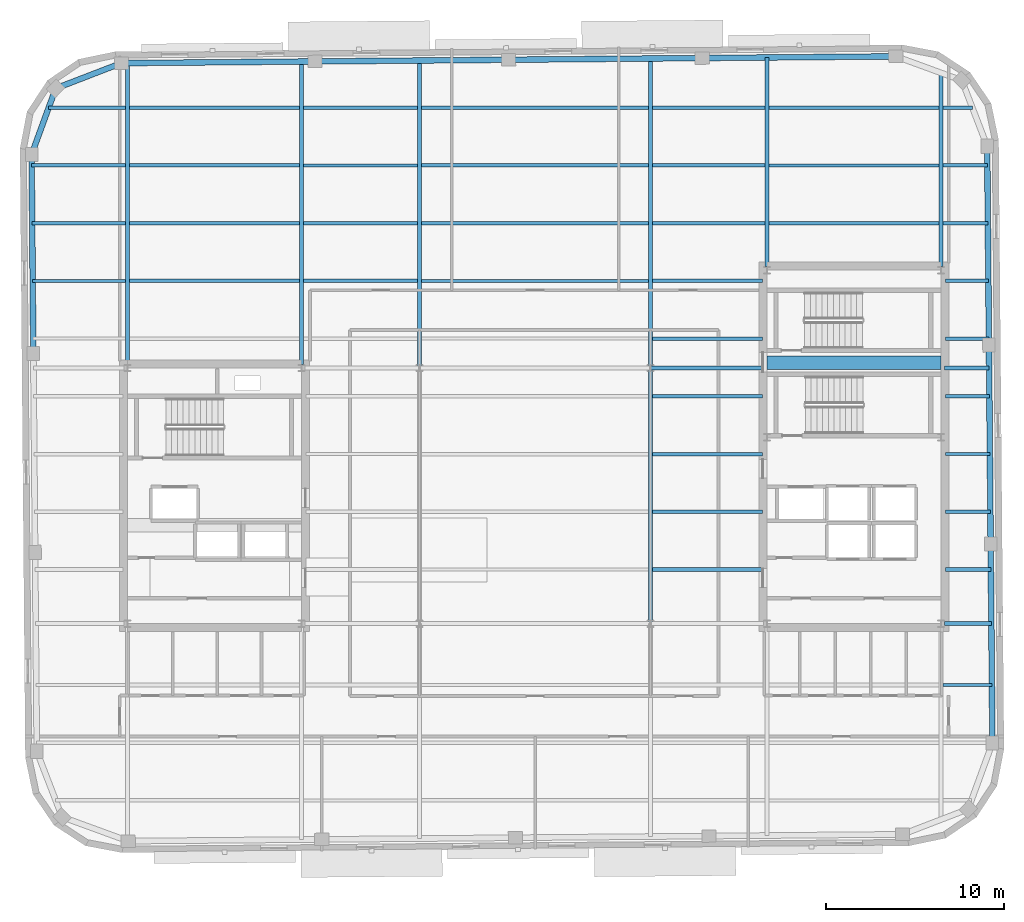
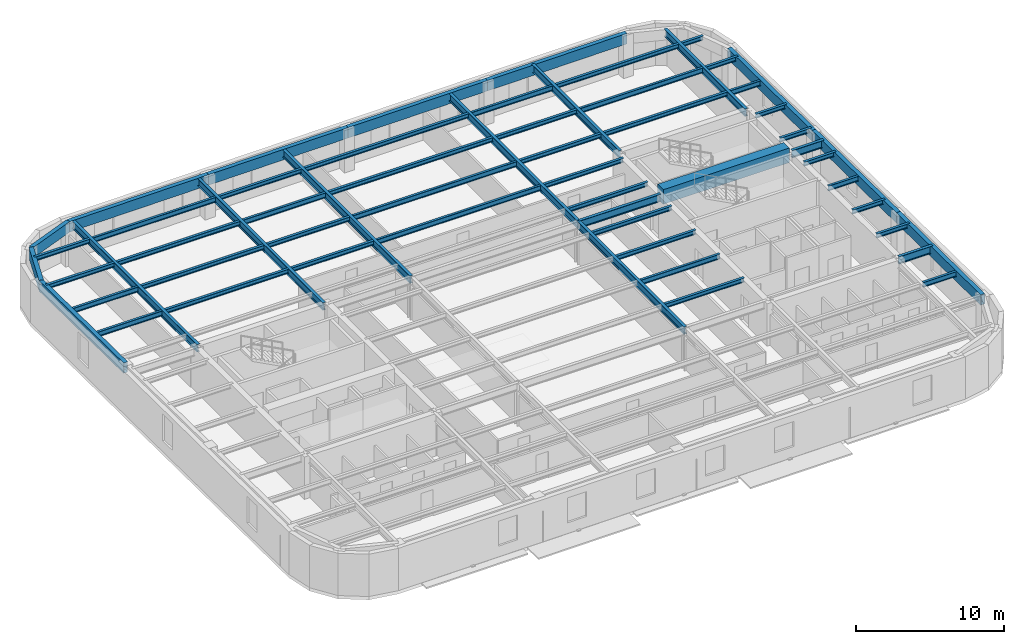
# One storey, part 5 of 13: 59 beams.
"""IFC4 building model written with IfcOpenShell, lengths in metres."""

from ifc_helpers import new_model, si_unit, direction, frame, origin, origin_2d, place, context, subcontext, project, spatial, rectangle, hollow_rectangle, i_section, extrude, material, material_profile, profile_set, type_object, element, save


model = new_model("IFC4")

# Units and contexts
model_context = context("Model", 3, precision=1e-05, world=origin(), true_north=direction((0.0, 1.0)))
body_context = subcontext(model_context, "Body", "Model", "MODEL_VIEW")
ifc_project = project(units=[si_unit("LENGTHUNIT", "METRE"), si_unit("AREAUNIT", "SQUARE_METRE"), si_unit("VOLUMEUNIT", "CUBIC_METRE"), si_unit("PLANEANGLEUNIT", "RADIAN"), si_unit("MASSUNIT", "GRAM", prefix="KILO")], contexts=[model_context])

# Site, building, storey
site_placement = place(None, origin())
site = spatial("IfcSite", under=ifc_project, at=site_placement, CompositionType="ELEMENT")
building_placement = place(site_placement, origin())
building = spatial("IfcBuilding", under=site, at=building_placement, Name="Kolvaren Arena Tower", CompositionType="ELEMENT")
storey_placement = place(building_placement, frame((0.0, 0.0, 278.64990234375)))
storey = spatial("IfcBuildingStorey", under=building, at=storey_placement, Name="L68", CompositionType="ELEMENT", Elevation=278.64990234375)

# Beams
ifc_material_1 = material(Name="Steel CSA G40.21 350W", Category="steel")
ifc_material_profile_1 = material_profile(ifc_material_1, i_section(OverallWidth=0.180908203125, OverallDepth=0.4169921875, WebThickness=0.010986328125, FlangeThickness=0.018310546875, FilletRadius=0.011962890625, at=origin_2d()), Name="W410x85")
ifc_profile_set_1 = profile_set([ifc_material_profile_1], Name="Steel CSA G40.21 350W")
beam_type_1 = type_object("IfcBeamType", Name="BEAM-F3", PredefinedType="BEAM", material=ifc_profile_set_1)
beam_1_placement = place(storey_placement, frame((60.464111328125, 16.0, 3.271484375), z_axis=(1.0, 0.0, 0.0), x_axis=(0.0, 1.0, 0.0)))
element("IfcBeam", 1, at=beam_1_placement, inside=storey, type_object=beam_type_1, Name="Composite Floor Beam (L68)", PredefinedType="BEAM", context=body_context, shape_type="SweptSolid", body=[
    extrude(i_section(OverallWidth=0.180908203125, OverallDepth=0.4169921875, WebThickness=0.010986328125, FlangeThickness=0.018310546875, FilletRadius=0.011962890625, at=origin_2d()), origin(), (0.0, 0.0, 1.0), 2.7529296875),
])
beam_2_placement = place(storey_placement, frame((44.114013671875, 25.75, 3.271484375), z_axis=(1.0, 0.0, 0.0), x_axis=(0.0, 1.0, 0.0)))
element("IfcBeam", 2, at=beam_2_placement, inside=storey, type_object=beam_type_1, Name="Composite Floor Beam (L68)", PredefinedType="BEAM", context=body_context, shape_type="SweptSolid", body=[
    extrude(i_section(OverallWidth=0.180908203125, OverallDepth=0.4169921875, WebThickness=0.010986328125, FlangeThickness=0.018310546875, FilletRadius=0.011962890625, at=origin_2d()), origin(), (0.0, 0.0, 1.0), 6.19091796875),
])
beam_3_placement = place(storey_placement, frame((60.594970703125, 29.0, 3.271484375), z_axis=(1.0, 0.0, 0.0), x_axis=(0.0, 1.0, 0.0)))
element("IfcBeam", 3, at=beam_3_placement, inside=storey, type_object=beam_type_1, Name="Composite Floor Beam (L68)", PredefinedType="BEAM", context=body_context, shape_type="SweptSolid", body=[
    extrude(i_section(OverallWidth=0.180908203125, OverallDepth=0.4169921875, WebThickness=0.010986328125, FlangeThickness=0.018310546875, FilletRadius=0.011962890625, at=origin_2d()), origin(), (0.0, 0.0, 1.0), 2.508544921875),
])
beam_4_placement = place(storey_placement, frame((9.216552734375, 38.75, 3.271484375), z_axis=(1.0, 0.0, 0.0), x_axis=(0.0, 1.0, 0.0)))
element("IfcBeam", 4, at=beam_4_placement, inside=storey, type_object=beam_type_1, Name="Composite Floor Beam (L68)", PredefinedType="BEAM", context=body_context, shape_type="SweptSolid", body=[
    extrude(i_section(OverallWidth=0.180908203125, OverallDepth=0.4169921875, WebThickness=0.010986328125, FlangeThickness=0.018310546875, FilletRadius=0.011962890625, at=origin_2d()), origin(), (0.0, 0.0, 1.0), 5.219482421875),
])
beam_5_placement = place(storey_placement, frame((31.114013671875, 38.75, 3.271484375), z_axis=(1.0, 0.0, 0.0), x_axis=(0.0, 1.0, 0.0)))
element("IfcBeam", 5, at=beam_5_placement, inside=storey, type_object=beam_type_1, Name="Composite Floor Beam (L68)", PredefinedType="BEAM", context=body_context, shape_type="SweptSolid", body=[
    extrude(i_section(OverallWidth=0.180908203125, OverallDepth=0.4169921875, WebThickness=0.010986328125, FlangeThickness=0.018310546875, FilletRadius=0.011962890625, at=origin_2d()), origin(), (0.0, 0.0, 1.0), 12.77197265625),
])
beam_6_placement = place(storey_placement, frame((9.18798828125, 42.0, 3.271484375), z_axis=(1.0, 0.0, 0.0), x_axis=(0.0, 1.0, 0.0)))
element("IfcBeam", 6, at=beam_6_placement, inside=storey, type_object=beam_type_1, Name="Composite Floor Beam (L68)", PredefinedType="BEAM", context=body_context, shape_type="SweptSolid", body=[
    extrude(i_section(OverallWidth=0.180908203125, OverallDepth=0.4169921875, WebThickness=0.010986328125, FlangeThickness=0.018310546875, FilletRadius=0.011962890625, at=origin_2d()), origin(), (0.0, 0.0, 1.0), 5.248046875),
])
beam_7_placement = place(storey_placement, frame((31.114013671875, 42.0, 3.271484375), z_axis=(1.0, 0.0, 0.0), x_axis=(0.0, 1.0, 0.0)))
element("IfcBeam", 7, at=beam_7_placement, inside=storey, type_object=beam_type_1, Name="Composite Floor Beam (L68)", PredefinedType="BEAM", context=body_context, shape_type="SweptSolid", body=[
    extrude(i_section(OverallWidth=0.180908203125, OverallDepth=0.4169921875, WebThickness=0.010986328125, FlangeThickness=0.018310546875, FilletRadius=0.011962890625, at=origin_2d()), origin(), (0.0, 0.0, 1.0), 12.77197265625),
])
beam_8_placement = place(storey_placement, frame((60.464111328125, 42.0, 3.271484375), z_axis=(1.0, 0.0, 0.0), x_axis=(0.0, 1.0, 0.0)))
element("IfcBeam", 8, at=beam_8_placement, inside=storey, type_object=beam_type_1, Name="Composite Floor Beam (L68)", PredefinedType="BEAM", context=body_context, shape_type="SweptSolid", body=[
    extrude(i_section(OverallWidth=0.180908203125, OverallDepth=0.4169921875, WebThickness=0.010986328125, FlangeThickness=0.018310546875, FilletRadius=0.011962890625, at=origin_2d()), origin(), (0.0, 0.0, 1.0), 2.526123046875),
])
beam_9_placement = place(storey_placement, frame((24.464111328125, 45.25, 3.271484375), z_axis=(1.0, 0.0, 0.0), x_axis=(0.0, 1.0, 0.0)))
element("IfcBeam", 9, at=beam_9_placement, inside=storey, type_object=beam_type_1, Name="Composite Floor Beam (L68)", PredefinedType="BEAM", context=body_context, shape_type="SweptSolid", body=[
    extrude(i_section(OverallWidth=0.180908203125, OverallDepth=0.4169921875, WebThickness=0.010986328125, FlangeThickness=0.018310546875, FilletRadius=0.011962890625, at=origin_2d()), origin(), (0.0, 0.0, 1.0), 6.421875),
])
for number, where, z_axis, x_axis, name in (
    (10, (50.6640625, 45.25, 3.271484375), (1.0, 0.0, 0.0), (0.0, 1.0, 0.0), "Composite Floor Beam (L68)"),
    (11, (14.6640625, 48.5, 3.271484375), (1.0, 0.0, 0.0), (0.0, 1.0, 0.0), "Composite Floor Beam (L68)"),
):
    element("IfcBeam", number, at=place(storey_placement, frame(where, z_axis=z_axis, x_axis=x_axis)), inside=storey, type_object=beam_type_1, Name=name, PredefinedType="BEAM", context=body_context, shape_type="SweptSolid", body=[
        extrude(i_section(OverallWidth=0.180908203125, OverallDepth=0.4169921875, WebThickness=0.010986328125, FlangeThickness=0.018310546875, FilletRadius=0.011962890625, at=origin_2d()), origin(), (0.0, 0.0, 1.0), 9.572021484375),
    ])
beam_10_placement = place(storey_placement, frame((44.114013671875, 48.5, 3.271484375), z_axis=(1.0, 0.0, 0.0), x_axis=(0.0, 1.0, 0.0)))
element("IfcBeam", 12, at=beam_10_placement, inside=storey, type_object=beam_type_1, Name="Composite Floor Beam (L68)", PredefinedType="BEAM", context=body_context, shape_type="SweptSolid", body=[
    extrude(i_section(OverallWidth=0.180908203125, OverallDepth=0.4169921875, WebThickness=0.010986328125, FlangeThickness=0.018310546875, FilletRadius=0.011962890625, at=origin_2d()), origin(), (0.0, 0.0, 1.0), 6.322021484375),
])
ifc_material_2 = material(Name="Concrete 60 MPa", Category="concrete")
ifc_material_profile_2 = material_profile(ifc_material_2, rectangle(XDim=0.75, YDim=1.199951171875, at=origin_2d()), Name="RC-750x1200")
ifc_profile_set_2 = profile_set([ifc_material_profile_2], Name="Concrete 60 MPa")
beam_type_2 = type_object("IfcBeamType", Name="CB-CORE-2", PredefinedType="BEAM", material=ifc_profile_set_2)
beam_11_placement = place(storey_placement, frame((50.550048828125, 34.14990234375, 3.150146484375), z_axis=(1.0, 0.0, 0.0), x_axis=(0.0, 1.0, 0.0)))
element("IfcBeam", 13, at=beam_11_placement, inside=storey, type_object=beam_type_2, Name="East Core Coupling Beam (L68)", PredefinedType="BEAM", context=body_context, shape_type="SweptSolid", body=[
    extrude(rectangle(XDim=0.75, YDim=1.199951171875, at=origin_2d()), origin(), (0.0, 0.0, 1.0), 9.800048828125),
])
ifc_material_profile_3 = material_profile(ifc_material_1, i_section(OverallWidth=0.22802734375, OverallDepth=0.615966796875, WebThickness=0.013916015625, FlangeThickness=0.02490234375, FilletRadius=0.014892578125, at=origin_2d()), Name="W610x174")
ifc_profile_set_3 = profile_set([ifc_material_profile_3], Name="Steel CSA G40.21 350W")
beam_type_3 = type_object("IfcBeamType", Name="GIRD-T3", PredefinedType="BEAM", material=ifc_profile_set_3)
beam_12_placement = place(storey_placement, frame((60.554931640625, 19.449951171875, 3.172119140625), z_axis=(1.0, 0.0, 0.0), x_axis=(0.0, 1.0, 0.0)))
element("IfcBeam", 14, at=beam_12_placement, inside=storey, type_object=beam_type_3, Name="Primary Floor Girder (L68)", PredefinedType="BEAM", context=body_context, shape_type="SweptSolid", body=[
    extrude(i_section(OverallWidth=0.22802734375, OverallDepth=0.615966796875, WebThickness=0.013916015625, FlangeThickness=0.02490234375, FilletRadius=0.014892578125, at=origin_2d()), origin(), (0.0, 0.0, 1.0), 2.632080078125),
])
beam_13_placement = place(storey_placement, frame((44.0, 33.85009765625, 3.172119140625), z_axis=(1.0, 0.0, 0.0), x_axis=(0.0, 1.0, 0.0)))
element("IfcBeam", 15, at=beam_13_placement, inside=storey, type_object=beam_type_3, Name="Primary Floor Girder (L68)", PredefinedType="BEAM", context=body_context, shape_type="SweptSolid", body=[
    extrude(i_section(OverallWidth=0.22802734375, OverallDepth=0.615966796875, WebThickness=0.013916015625, FlangeThickness=0.02490234375, FilletRadius=0.014892578125, at=origin_2d()), origin(), (0.0, 0.0, 1.0), 6.344970703125),
])
beam_14_placement = place(storey_placement, frame((60.554931640625, 33.85009765625, 3.172119140625), z_axis=(1.0, 0.0, 0.0), x_axis=(0.0, 1.0, 0.0)))
element("IfcBeam", 16, at=beam_14_placement, inside=storey, type_object=beam_type_3, Name="Primary Floor Girder (L68)", PredefinedType="BEAM", context=body_context, shape_type="SweptSolid", body=[
    extrude(i_section(OverallWidth=0.22802734375, OverallDepth=0.615966796875, WebThickness=0.013916015625, FlangeThickness=0.02490234375, FilletRadius=0.014892578125, at=origin_2d()), origin(), (0.0, 0.0, 1.0), 2.50634765625),
])
beam_15_placement = place(storey_placement, frame((14.550048828125, 34.054931640625, 3.172119140625), z_axis=(0.0, 1.0, 0.0), x_axis=(-1.0, 0.0, 0.0)))
element("IfcBeam", 17, at=beam_15_placement, inside=storey, type_object=beam_type_3, Name="Primary Floor Girder (L68)", PredefinedType="BEAM", context=body_context, shape_type="SweptSolid", body=[
    extrude(i_section(OverallWidth=0.22802734375, OverallDepth=0.615966796875, WebThickness=0.013916015625, FlangeThickness=0.02490234375, FilletRadius=0.014892578125, at=origin_2d()), origin(), (0.0, 0.0, 1.0), 16.95703125),
])
beam_16_placement = place(storey_placement, frame((24.35009765625, 34.054931640625, 3.172119140625), z_axis=(0.0, 1.0, 0.0), x_axis=(-1.0, 0.0, 0.0)))
element("IfcBeam", 18, at=beam_16_placement, inside=storey, type_object=beam_type_3, Name="Primary Floor Girder (L68)", PredefinedType="BEAM", context=body_context, shape_type="SweptSolid", body=[
    extrude(i_section(OverallWidth=0.22802734375, OverallDepth=0.615966796875, WebThickness=0.013916015625, FlangeThickness=0.02490234375, FilletRadius=0.014892578125, at=origin_2d()), origin(), (0.0, 0.0, 1.0), 17.04248046875),
])
beam_17_placement = place(storey_placement, frame((31.0, 33.85009765625, 3.172119140625), z_axis=(0.0, 1.0, 0.0), x_axis=(-1.0, 0.0, 0.0)))
element("IfcBeam", 19, at=beam_17_placement, inside=storey, type_object=beam_type_3, Name="Primary Floor Girder (L68)", PredefinedType="BEAM", context=body_context, shape_type="SweptSolid", body=[
    extrude(i_section(OverallWidth=0.22802734375, OverallDepth=0.615966796875, WebThickness=0.013916015625, FlangeThickness=0.02490234375, FilletRadius=0.014892578125, at=origin_2d()), origin(), (0.0, 0.0, 1.0), 17.305419921875),
])
beam_18_placement = place(storey_placement, frame((44.0, 19.449951171875, 3.172119140625), z_axis=(0.0, 1.0, 0.0), x_axis=(-1.0, 0.0, 0.0)))
element("IfcBeam", 20, at=beam_18_placement, inside=storey, type_object=beam_type_3, Name="Primary Floor Girder (L68)", PredefinedType="BEAM", context=body_context, shape_type="SweptSolid", body=[
    extrude(i_section(OverallWidth=0.22802734375, OverallDepth=0.615966796875, WebThickness=0.013916015625, FlangeThickness=0.02490234375, FilletRadius=0.014892578125, at=origin_2d()), origin(), (0.0, 0.0, 1.0), 14.400146484375),
])
beam_19_placement = place(storey_placement, frame((44.0, 33.85009765625, 3.172119140625), z_axis=(0.0, 1.0, 0.0), x_axis=(-1.0, 0.0, 0.0)))
element("IfcBeam", 21, at=beam_19_placement, inside=storey, type_object=beam_type_3, Name="Primary Floor Girder (L68)", PredefinedType="BEAM", context=body_context, shape_type="SweptSolid", body=[
    extrude(i_section(OverallWidth=0.22802734375, OverallDepth=0.615966796875, WebThickness=0.013916015625, FlangeThickness=0.02490234375, FilletRadius=0.014892578125, at=origin_2d()), origin(), (0.0, 0.0, 1.0), 17.418701171875),
])
beam_20_placement = place(storey_placement, frame((50.550048828125, 39.554931640625, 3.172119140625), z_axis=(0.0, 1.0, 0.0), x_axis=(-1.0, 0.0, 0.0)))
element("IfcBeam", 22, at=beam_20_placement, inside=storey, type_object=beam_type_3, Name="Primary Floor Girder (L68)", PredefinedType="BEAM", context=body_context, shape_type="SweptSolid", body=[
    extrude(i_section(OverallWidth=0.22802734375, OverallDepth=0.615966796875, WebThickness=0.013916015625, FlangeThickness=0.02490234375, FilletRadius=0.014892578125, at=origin_2d()), origin(), (0.0, 0.0, 1.0), 11.771240234375),
])
beam_21_placement = place(storey_placement, frame((60.35009765625, 39.554931640625, 3.172119140625), z_axis=(0.0, 1.0, 0.0), x_axis=(-1.0, 0.0, 0.0)))
element("IfcBeam", 23, at=beam_21_placement, inside=storey, type_object=beam_type_3, Name="Primary Floor Girder (L68)", PredefinedType="BEAM", context=body_context, shape_type="SweptSolid", body=[
    extrude(i_section(OverallWidth=0.22802734375, OverallDepth=0.615966796875, WebThickness=0.013916015625, FlangeThickness=0.02490234375, FilletRadius=0.014892578125, at=origin_2d()), origin(), (0.0, 0.0, 1.0), 10.90625),
])
ifc_material_profile_4 = material_profile(ifc_material_1, i_section(OverallWidth=0.202880859375, OverallDepth=0.346923828125, WebThickness=0.0078125, FlangeThickness=0.013427734375, FilletRadius=0.010986328125, at=origin_2d()), Name="W360x64")
ifc_profile_set_4 = profile_set([ifc_material_profile_4], Name="Steel CSA G40.21 350W")
beam_type_4 = type_object("IfcBeamType", Name="JOIST-01", PredefinedType="JOIST", material=ifc_profile_set_4)
beam_22_placement = place(storey_placement, frame((44.114013671875, 22.5, 3.306640625), z_axis=(1.0, 0.0, 0.0), x_axis=(0.0, 1.0, 0.0)))
element("IfcBeam", 24, at=beam_22_placement, inside=storey, type_object=beam_type_4, Name="Composite Floor Joist (L68)", PredefinedType="JOIST", context=body_context, shape_type="SweptSolid", body=[
    extrude(i_section(OverallWidth=0.202880859375, OverallDepth=0.346923828125, WebThickness=0.0078125, FlangeThickness=0.013427734375, FilletRadius=0.010986328125, at=origin_2d()), origin(), (0.0, 0.0, 1.0), 6.19091796875),
])
beam_23_placement = place(storey_placement, frame((60.594970703125, 22.5, 3.306640625), z_axis=(1.0, 0.0, 0.0), x_axis=(0.0, 1.0, 0.0)))
element("IfcBeam", 25, at=beam_23_placement, inside=storey, type_object=beam_type_4, Name="Composite Floor Joist (L68)", PredefinedType="JOIST", context=body_context, shape_type="SweptSolid", body=[
    extrude(i_section(OverallWidth=0.202880859375, OverallDepth=0.346923828125, WebThickness=0.0078125, FlangeThickness=0.013427734375, FilletRadius=0.010986328125, at=origin_2d()), origin(), (0.0, 0.0, 1.0), 2.5654296875),
])
beam_24_placement = place(storey_placement, frame((60.594970703125, 25.75, 3.306640625), z_axis=(1.0, 0.0, 0.0), x_axis=(0.0, 1.0, 0.0)))
element("IfcBeam", 26, at=beam_24_placement, inside=storey, type_object=beam_type_4, Name="Composite Floor Joist (L68)", PredefinedType="JOIST", context=body_context, shape_type="SweptSolid", body=[
    extrude(i_section(OverallWidth=0.202880859375, OverallDepth=0.346923828125, WebThickness=0.0078125, FlangeThickness=0.013427734375, FilletRadius=0.010986328125, at=origin_2d()), origin(), (0.0, 0.0, 1.0), 2.537109375),
])
for number, where, z_axis, x_axis, name in (
    (27, (44.114013671875, 29.0, 3.306640625), (1.0, 0.0, 0.0), (0.0, 1.0, 0.0), "Composite Floor Joist (L68)"),
    (28, (44.114013671875, 32.25, 3.306640625), (1.0, 0.0, 0.0), (0.0, 1.0, 0.0), "Composite Floor Joist (L68)"),
):
    element("IfcBeam", number, at=place(storey_placement, frame(where, z_axis=z_axis, x_axis=x_axis)), inside=storey, type_object=beam_type_4, Name=name, PredefinedType="JOIST", context=body_context, shape_type="SweptSolid", body=[
        extrude(i_section(OverallWidth=0.202880859375, OverallDepth=0.346923828125, WebThickness=0.0078125, FlangeThickness=0.013427734375, FilletRadius=0.010986328125, at=origin_2d()), origin(), (0.0, 0.0, 1.0), 6.19091796875),
    ])
beam_25_placement = place(storey_placement, frame((60.594970703125, 32.25, 3.306640625), z_axis=(1.0, 0.0, 0.0), x_axis=(0.0, 1.0, 0.0)))
element("IfcBeam", 29, at=beam_25_placement, inside=storey, type_object=beam_type_4, Name="Composite Floor Joist (L68)", PredefinedType="JOIST", context=body_context, shape_type="SweptSolid", body=[
    extrude(i_section(OverallWidth=0.202880859375, OverallDepth=0.346923828125, WebThickness=0.0078125, FlangeThickness=0.013427734375, FilletRadius=0.010986328125, at=origin_2d()), origin(), (0.0, 0.0, 1.0), 2.480224609375),
])
beam_26_placement = place(storey_placement, frame((44.114013671875, 35.5, 3.306640625), z_axis=(1.0, 0.0, 0.0), x_axis=(0.0, 1.0, 0.0)))
element("IfcBeam", 30, at=beam_26_placement, inside=storey, type_object=beam_type_4, Name="Composite Floor Joist (L68)", PredefinedType="JOIST", context=body_context, shape_type="SweptSolid", body=[
    extrude(i_section(OverallWidth=0.202880859375, OverallDepth=0.346923828125, WebThickness=0.0078125, FlangeThickness=0.013427734375, FilletRadius=0.010986328125, at=origin_2d()), origin(), (0.0, 0.0, 1.0), 6.19091796875),
])
beam_27_placement = place(storey_placement, frame((60.594970703125, 35.5, 3.306640625), z_axis=(1.0, 0.0, 0.0), x_axis=(0.0, 1.0, 0.0)))
element("IfcBeam", 31, at=beam_27_placement, inside=storey, type_object=beam_type_4, Name="Composite Floor Joist (L68)", PredefinedType="JOIST", context=body_context, shape_type="SweptSolid", body=[
    extrude(i_section(OverallWidth=0.202880859375, OverallDepth=0.346923828125, WebThickness=0.0078125, FlangeThickness=0.013427734375, FilletRadius=0.010986328125, at=origin_2d()), origin(), (0.0, 0.0, 1.0), 2.451904296875),
])
beam_28_placement = place(storey_placement, frame((14.6640625, 38.75, 3.306640625), z_axis=(1.0, 0.0, 0.0), x_axis=(0.0, 1.0, 0.0)))
element("IfcBeam", 32, at=beam_28_placement, inside=storey, type_object=beam_type_4, Name="Composite Floor Joist (L68)", PredefinedType="JOIST", context=body_context, shape_type="SweptSolid", body=[
    extrude(i_section(OverallWidth=0.202880859375, OverallDepth=0.346923828125, WebThickness=0.0078125, FlangeThickness=0.013427734375, FilletRadius=0.010986328125, at=origin_2d()), origin(), (0.0, 0.0, 1.0), 9.572021484375),
])
beam_29_placement = place(storey_placement, frame((24.464111328125, 38.75, 3.306640625), z_axis=(1.0, 0.0, 0.0), x_axis=(0.0, 1.0, 0.0)))
element("IfcBeam", 33, at=beam_29_placement, inside=storey, type_object=beam_type_4, Name="Composite Floor Joist (L68)", PredefinedType="JOIST", context=body_context, shape_type="SweptSolid", body=[
    extrude(i_section(OverallWidth=0.202880859375, OverallDepth=0.346923828125, WebThickness=0.0078125, FlangeThickness=0.013427734375, FilletRadius=0.010986328125, at=origin_2d()), origin(), (0.0, 0.0, 1.0), 6.421875),
])
beam_30_placement = place(storey_placement, frame((44.114013671875, 38.75, 3.306640625), z_axis=(1.0, 0.0, 0.0), x_axis=(0.0, 1.0, 0.0)))
element("IfcBeam", 34, at=beam_30_placement, inside=storey, type_object=beam_type_4, Name="Composite Floor Joist (L68)", PredefinedType="JOIST", context=body_context, shape_type="SweptSolid", body=[
    extrude(i_section(OverallWidth=0.202880859375, OverallDepth=0.346923828125, WebThickness=0.0078125, FlangeThickness=0.013427734375, FilletRadius=0.010986328125, at=origin_2d()), origin(), (0.0, 0.0, 1.0), 6.19091796875),
])
beam_31_placement = place(storey_placement, frame((60.594970703125, 38.75, 3.306640625), z_axis=(1.0, 0.0, 0.0), x_axis=(0.0, 1.0, 0.0)))
element("IfcBeam", 35, at=beam_31_placement, inside=storey, type_object=beam_type_4, Name="Composite Floor Joist (L68)", PredefinedType="JOIST", context=body_context, shape_type="SweptSolid", body=[
    extrude(i_section(OverallWidth=0.202880859375, OverallDepth=0.346923828125, WebThickness=0.0078125, FlangeThickness=0.013427734375, FilletRadius=0.010986328125, at=origin_2d()), origin(), (0.0, 0.0, 1.0), 2.423583984375),
])
beam_32_placement = place(storey_placement, frame((14.6640625, 42.0, 3.306640625), z_axis=(1.0, 0.0, 0.0), x_axis=(0.0, 1.0, 0.0)))
element("IfcBeam", 36, at=beam_32_placement, inside=storey, type_object=beam_type_4, Name="Composite Floor Joist (L68)", PredefinedType="JOIST", context=body_context, shape_type="SweptSolid", body=[
    extrude(i_section(OverallWidth=0.202880859375, OverallDepth=0.346923828125, WebThickness=0.0078125, FlangeThickness=0.013427734375, FilletRadius=0.010986328125, at=origin_2d()), origin(), (0.0, 0.0, 1.0), 9.572021484375),
])
beam_33_placement = place(storey_placement, frame((24.464111328125, 42.0, 3.306640625), z_axis=(1.0, 0.0, 0.0), x_axis=(0.0, 1.0, 0.0)))
element("IfcBeam", 37, at=beam_33_placement, inside=storey, type_object=beam_type_4, Name="Composite Floor Joist (L68)", PredefinedType="JOIST", context=body_context, shape_type="SweptSolid", body=[
    extrude(i_section(OverallWidth=0.202880859375, OverallDepth=0.346923828125, WebThickness=0.0078125, FlangeThickness=0.013427734375, FilletRadius=0.010986328125, at=origin_2d()), origin(), (0.0, 0.0, 1.0), 6.421875),
])
beam_34_placement = place(storey_placement, frame((44.114013671875, 42.0, 3.306640625), z_axis=(1.0, 0.0, 0.0), x_axis=(0.0, 1.0, 0.0)))
element("IfcBeam", 38, at=beam_34_placement, inside=storey, type_object=beam_type_4, Name="Composite Floor Joist (L68)", PredefinedType="JOIST", context=body_context, shape_type="SweptSolid", body=[
    extrude(i_section(OverallWidth=0.202880859375, OverallDepth=0.346923828125, WebThickness=0.0078125, FlangeThickness=0.013427734375, FilletRadius=0.010986328125, at=origin_2d()), origin(), (0.0, 0.0, 1.0), 6.322021484375),
])
beam_35_placement = place(storey_placement, frame((50.6640625, 42.0, 3.306640625), z_axis=(1.0, 0.0, 0.0), x_axis=(0.0, 1.0, 0.0)))
element("IfcBeam", 39, at=beam_35_placement, inside=storey, type_object=beam_type_4, Name="Composite Floor Joist (L68)", PredefinedType="JOIST", context=body_context, shape_type="SweptSolid", body=[
    extrude(i_section(OverallWidth=0.202880859375, OverallDepth=0.346923828125, WebThickness=0.0078125, FlangeThickness=0.013427734375, FilletRadius=0.010986328125, at=origin_2d()), origin(), (0.0, 0.0, 1.0), 9.572021484375),
])
beam_36_placement = place(storey_placement, frame((9.159912109375, 45.25, 3.306640625), z_axis=(1.0, 0.0, 0.0), x_axis=(0.0, 1.0, 0.0)))
element("IfcBeam", 40, at=beam_36_placement, inside=storey, type_object=beam_type_4, Name="Composite Floor Joist (L68)", PredefinedType="JOIST", context=body_context, shape_type="SweptSolid", body=[
    extrude(i_section(OverallWidth=0.202880859375, OverallDepth=0.346923828125, WebThickness=0.0078125, FlangeThickness=0.013427734375, FilletRadius=0.010986328125, at=origin_2d()), origin(), (0.0, 0.0, 1.0), 5.276123046875),
])
beam_37_placement = place(storey_placement, frame((14.6640625, 45.25, 3.306640625), z_axis=(1.0, 0.0, 0.0), x_axis=(0.0, 1.0, 0.0)))
element("IfcBeam", 41, at=beam_37_placement, inside=storey, type_object=beam_type_4, Name="Composite Floor Joist (L68)", PredefinedType="JOIST", context=body_context, shape_type="SweptSolid", body=[
    extrude(i_section(OverallWidth=0.202880859375, OverallDepth=0.346923828125, WebThickness=0.0078125, FlangeThickness=0.013427734375, FilletRadius=0.010986328125, at=origin_2d()), origin(), (0.0, 0.0, 1.0), 9.572021484375),
])
beam_38_placement = place(storey_placement, frame((31.114013671875, 45.25, 3.306640625), z_axis=(1.0, 0.0, 0.0), x_axis=(0.0, 1.0, 0.0)))
element("IfcBeam", 42, at=beam_38_placement, inside=storey, type_object=beam_type_4, Name="Composite Floor Joist (L68)", PredefinedType="JOIST", context=body_context, shape_type="SweptSolid", body=[
    extrude(i_section(OverallWidth=0.202880859375, OverallDepth=0.346923828125, WebThickness=0.0078125, FlangeThickness=0.013427734375, FilletRadius=0.010986328125, at=origin_2d()), origin(), (0.0, 0.0, 1.0), 12.77197265625),
])
beam_39_placement = place(storey_placement, frame((44.114013671875, 45.25, 3.306640625), z_axis=(1.0, 0.0, 0.0), x_axis=(0.0, 1.0, 0.0)))
element("IfcBeam", 43, at=beam_39_placement, inside=storey, type_object=beam_type_4, Name="Composite Floor Joist (L68)", PredefinedType="JOIST", context=body_context, shape_type="SweptSolid", body=[
    extrude(i_section(OverallWidth=0.202880859375, OverallDepth=0.346923828125, WebThickness=0.0078125, FlangeThickness=0.013427734375, FilletRadius=0.010986328125, at=origin_2d()), origin(), (0.0, 0.0, 1.0), 6.322021484375),
])
beam_40_placement = place(storey_placement, frame((60.464111328125, 45.25, 3.306640625), z_axis=(1.0, 0.0, 0.0), x_axis=(0.0, 1.0, 0.0)))
element("IfcBeam", 44, at=beam_40_placement, inside=storey, type_object=beam_type_4, Name="Composite Floor Joist (L68)", PredefinedType="JOIST", context=body_context, shape_type="SweptSolid", body=[
    extrude(i_section(OverallWidth=0.202880859375, OverallDepth=0.346923828125, WebThickness=0.0078125, FlangeThickness=0.013427734375, FilletRadius=0.010986328125, at=origin_2d()), origin(), (0.0, 0.0, 1.0), 2.497802734375),
])
beam_41_placement = place(storey_placement, frame((10.11669921875, 48.5, 3.306640625), z_axis=(1.0, 0.0, 0.0), x_axis=(0.0, 1.0, 0.0)))
element("IfcBeam", 45, at=beam_41_placement, inside=storey, type_object=beam_type_4, Name="Composite Floor Joist (L68)", PredefinedType="JOIST", context=body_context, shape_type="SweptSolid", body=[
    extrude(i_section(OverallWidth=0.202880859375, OverallDepth=0.346923828125, WebThickness=0.0078125, FlangeThickness=0.013427734375, FilletRadius=0.010986328125, at=origin_2d()), origin(), (0.0, 0.0, 1.0), 4.3193359375),
])
beam_42_placement = place(storey_placement, frame((24.464111328125, 48.5, 3.306640625), z_axis=(1.0, 0.0, 0.0), x_axis=(0.0, 1.0, 0.0)))
element("IfcBeam", 46, at=beam_42_placement, inside=storey, type_object=beam_type_4, Name="Composite Floor Joist (L68)", PredefinedType="JOIST", context=body_context, shape_type="SweptSolid", body=[
    extrude(i_section(OverallWidth=0.202880859375, OverallDepth=0.346923828125, WebThickness=0.0078125, FlangeThickness=0.013427734375, FilletRadius=0.010986328125, at=origin_2d()), origin(), (0.0, 0.0, 1.0), 6.421875),
])
beam_43_placement = place(storey_placement, frame((31.114013671875, 48.5, 3.306640625), z_axis=(1.0, 0.0, 0.0), x_axis=(0.0, 1.0, 0.0)))
element("IfcBeam", 47, at=beam_43_placement, inside=storey, type_object=beam_type_4, Name="Composite Floor Joist (L68)", PredefinedType="JOIST", context=body_context, shape_type="SweptSolid", body=[
    extrude(i_section(OverallWidth=0.202880859375, OverallDepth=0.346923828125, WebThickness=0.0078125, FlangeThickness=0.013427734375, FilletRadius=0.010986328125, at=origin_2d()), origin(), (0.0, 0.0, 1.0), 12.77197265625),
])
beam_44_placement = place(storey_placement, frame((50.6640625, 48.5, 3.306640625), z_axis=(1.0, 0.0, 0.0), x_axis=(0.0, 1.0, 0.0)))
element("IfcBeam", 48, at=beam_44_placement, inside=storey, type_object=beam_type_4, Name="Composite Floor Joist (L68)", PredefinedType="JOIST", context=body_context, shape_type="SweptSolid", body=[
    extrude(i_section(OverallWidth=0.202880859375, OverallDepth=0.346923828125, WebThickness=0.0078125, FlangeThickness=0.013427734375, FilletRadius=0.010986328125, at=origin_2d()), origin(), (0.0, 0.0, 1.0), 9.572021484375),
])
beam_45_placement = place(storey_placement, frame((60.464111328125, 48.5, 3.306640625), z_axis=(1.0, 0.0, 0.0), x_axis=(0.0, 1.0, 0.0)))
element("IfcBeam", 49, at=beam_45_placement, inside=storey, type_object=beam_type_4, Name="Composite Floor Joist (L68)", PredefinedType="JOIST", context=body_context, shape_type="SweptSolid", body=[
    extrude(i_section(OverallWidth=0.202880859375, OverallDepth=0.346923828125, WebThickness=0.0078125, FlangeThickness=0.013427734375, FilletRadius=0.010986328125, at=origin_2d()), origin(), (0.0, 0.0, 1.0), 1.654296875),
])
ifc_material_3 = material(Name="Steel CSA G40.21 350WT", Category="steel")
ifc_material_profile_5 = material_profile(ifc_material_3, hollow_rectangle(XDim=0.320068359375, YDim=0.860107421875, WallThickness=0.01806640625, at=origin_2d()), Name="HSS 860x320x18")
ifc_profile_set_5 = profile_set([ifc_material_profile_5], Name="Steel CSA G40.21 350WT")
beam_type_5 = type_object("IfcBeamType", Name="SPAND-02", PredefinedType="SPANDREL", material=ifc_profile_set_5)
beam_46_placement = place(storey_placement, frame((63.24560546875, 12.7353515625, 3.050048828125), z_axis=(-0.008741001013, 0.999961796721, 0.0), x_axis=(-0.999961796721, -0.008741001013, 0.0)))
element("IfcBeam", 50, at=beam_46_placement, inside=storey, type_object=beam_type_5, Name="Perimeter Spandrel Beam (L68)", PredefinedType="SPANDREL", context=body_context, shape_type="SweptSolid", body=[
    extrude(hollow_rectangle(XDim=0.320068359375, YDim=0.860107421875, WallThickness=0.01806640625, at=origin_2d()), origin(), (0.0, 0.0, 1.0), 11.2001953125),
])
for number, where, z_axis, x_axis, name in (
    (51, (63.147705078125, 23.93505859375, 3.050048828125), (-0.008719394723, 0.999961985355, 0.0), (-0.999961985355, -0.008719394723, 0.0), "Perimeter Spandrel Beam (L68)"),
    (52, (63.050048828125, 35.134521484375, 3.050048828125), (-0.008719394723, 0.999961985355, 0.0), (-0.999961985355, -0.008719394723, 0.0), "Perimeter Spandrel Beam (L68)"),
):
    element("IfcBeam", number, at=place(storey_placement, frame(where, z_axis=z_axis, x_axis=x_axis)), inside=storey, type_object=beam_type_5, Name=name, PredefinedType="SPANDREL", context=body_context, shape_type="SweptSolid", body=[
        extrude(hollow_rectangle(XDim=0.320068359375, YDim=0.860107421875, WallThickness=0.01806640625, at=origin_2d()), origin(), (0.0, 0.0, 1.0), 11.199951171875),
    ])
for number, where, z_axis, x_axis, name in (
    (53, (57.80810546875, 51.389404296875, 3.050048828125), (-0.999961846999, -0.008735247404, 0.0), (0.008735247404, -0.999961846999, 0.0), "Perimeter Spandrel Beam (L68)"),
    (54, (46.908447265625, 51.294189453125, 3.050048828125), (-0.999962042393, -0.008712851036, 0.0), (0.008712851036, -0.999962042393, 0.0), "Perimeter Spandrel Beam (L68)"),
):
    element("IfcBeam", number, at=place(storey_placement, frame(where, z_axis=z_axis, x_axis=x_axis)), inside=storey, type_object=beam_type_5, Name=name, PredefinedType="SPANDREL", context=body_context, shape_type="SweptSolid", body=[
        extrude(hollow_rectangle(XDim=0.320068359375, YDim=0.860107421875, WallThickness=0.01806640625, at=origin_2d()), origin(), (0.0, 0.0, 1.0), 10.900146484375),
    ])
beam_47_placement = place(storey_placement, frame((36.0087890625, 51.19921875, 3.050048828125), z_axis=(-0.999961845289, -0.008735443053, 0.0), x_axis=(0.008735443053, -0.999961845289, 0.0)))
element("IfcBeam", 55, at=beam_47_placement, inside=storey, type_object=beam_type_5, Name="Perimeter Spandrel Beam (L68)", PredefinedType="SPANDREL", context=body_context, shape_type="SweptSolid", body=[
    extrude(hollow_rectangle(XDim=0.320068359375, YDim=0.860107421875, WallThickness=0.01806640625, at=origin_2d()), origin(), (0.0, 0.0, 1.0), 10.89990234375),
])
beam_48_placement = place(storey_placement, frame((25.109375, 51.10400390625, 3.050048828125), z_axis=(-0.999961846999, -0.008735247404, 0.0), x_axis=(0.008735247404, -0.999961846999, 0.0)))
element("IfcBeam", 56, at=beam_48_placement, inside=storey, type_object=beam_type_5, Name="Perimeter Spandrel Beam (L68)", PredefinedType="SPANDREL", context=body_context, shape_type="SweptSolid", body=[
    extrude(hollow_rectangle(XDim=0.320068359375, YDim=0.860107421875, WallThickness=0.01806640625, at=origin_2d()), origin(), (0.0, 0.0, 1.0), 10.900146484375),
])
beam_49_placement = place(storey_placement, frame((14.209716796875, 51.0087890625, 3.050048828125), z_axis=(-0.933210515777, -0.359330117362, 0.0), x_axis=(0.359330117362, -0.933210515777, 0.0)))
element("IfcBeam", 57, at=beam_49_placement, inside=storey, type_object=beam_type_5, Name="Perimeter Spandrel Beam (L68)", PredefinedType="SPANDREL", context=body_context, shape_type="SweptSolid", body=[
    extrude(hollow_rectangle(XDim=0.320068359375, YDim=0.860107421875, WallThickness=0.01806640625, at=origin_2d()), origin(), (0.0, 0.0, 1.0), 3.961181640625),
])
beam_50_placement = place(storey_placement, frame((10.51318359375, 49.58544921875, 3.050048828125), z_axis=(-0.343039242335, -0.939321073019, 0.0), x_axis=(0.939321073019, -0.343039242335, 0.0)))
element("IfcBeam", 58, at=beam_50_placement, inside=storey, type_object=beam_type_5, Name="Perimeter Spandrel Beam (L68)", PredefinedType="SPANDREL", context=body_context, shape_type="SweptSolid", body=[
    extrude(hollow_rectangle(XDim=0.320068359375, YDim=0.860107421875, WallThickness=0.01806640625, at=origin_2d()), origin(), (0.0, 0.0, 1.0), 3.96142578125),
])
beam_51_placement = place(storey_placement, frame((9.154296875, 45.864501953125, 3.050048828125), z_axis=(0.008741191547, -0.999961795055, 0.0), x_axis=(0.999961795055, 0.008741191547, 0.0)))
element("IfcBeam", 59, at=beam_51_placement, inside=storey, type_object=beam_type_5, Name="Perimeter Spandrel Beam (L68)", PredefinedType="SPANDREL", context=body_context, shape_type="SweptSolid", body=[
    extrude(hollow_rectangle(XDim=0.320068359375, YDim=0.860107421875, WallThickness=0.01806640625, at=origin_2d()), origin(), (0.0, 0.0, 1.0), 11.199951171875),
])

save(model, "model.ifc")
